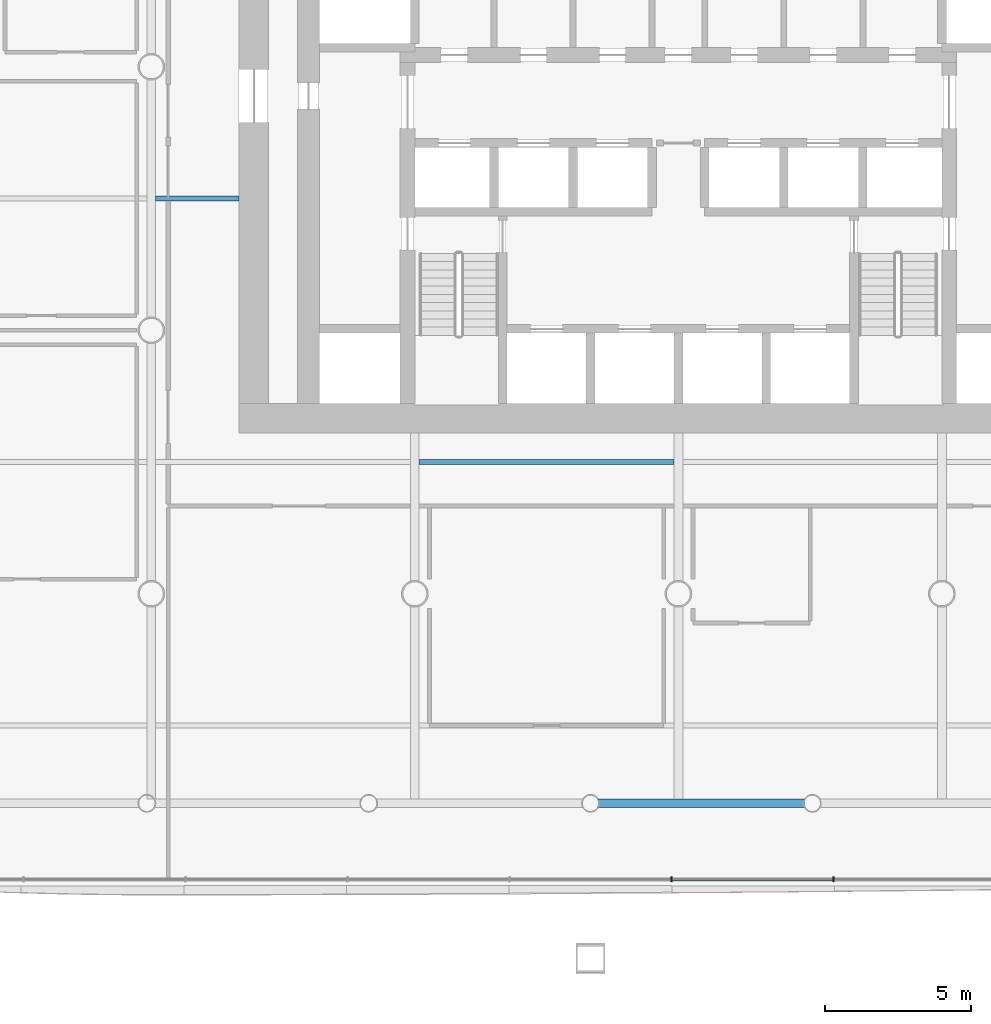
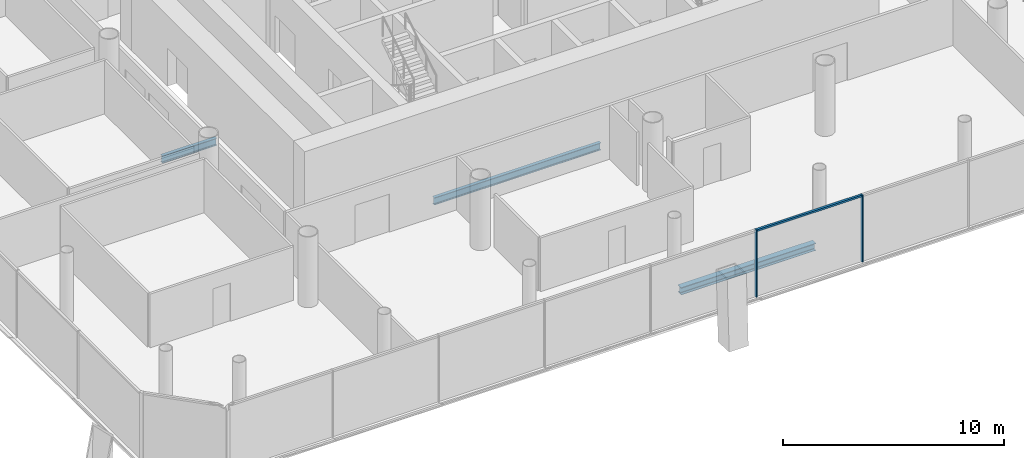
# One storey, part 5 of 22: 3 beams, 3 members, 1 element without a shape of its own.
"""IFC4 building model written with IfcOpenShell, lengths in metres."""

from ifc_helpers import new_model, si_unit, direction, frame, origin, origin_2d, place, context, subcontext, project, spatial, rectangle, i_section, extrude, material, material_profile, profile_set, type_object, element, aggregate, save


model = new_model("IFC4")

# Units and contexts
model_context = context("Model", 3, precision=1e-05, world=origin(), true_north=direction((0.0, 1.0)))
body_context = subcontext(model_context, "Body", "Model", "MODEL_VIEW")
ifc_project = project(units=[si_unit("LENGTHUNIT", "METRE"), si_unit("AREAUNIT", "SQUARE_METRE"), si_unit("VOLUMEUNIT", "CUBIC_METRE"), si_unit("PLANEANGLEUNIT", "RADIAN"), si_unit("MASSUNIT", "GRAM", prefix="KILO")], contexts=[model_context])

# Site, building, storey
site_placement = place(None, origin())
site = spatial("IfcSite", under=ifc_project, at=site_placement, CompositionType="ELEMENT")
building_placement = place(site_placement, origin())
building = spatial("IfcBuilding", under=site, at=building_placement, Name="Tskaro Facet Tower", CompositionType="ELEMENT")
storey_placement = place(building_placement, frame((0.0, 0.0, 18.60009765625)))
storey = spatial("IfcBuildingStorey", under=building, at=storey_placement, Name="L03", CompositionType="ELEMENT", Elevation=18.60009765625)

# Curtain wall, members
ifc_material_1 = material(Name="Bronze anodised aluminium 6063-T6", Category="aluminium")
curtain_wall_type = type_object("IfcCurtainWallType", Name="Bronze office curtain wall (FW1)", PredefinedType="NOTDEFINED", material=ifc_material_1)
curtain_wall_placement = place(storey_placement, origin())
curtain_wall = element("IfcCurtainWall", 1, at=curtain_wall_placement, inside=storey, type_object=curtain_wall_type, Name="FW1 south facet L03", PredefinedType="NOTDEFINED")
ifc_material_profile_1 = material_profile(ifc_material_1, rectangle(XDim=0.06005859375, YDim=0.159912109375, at=origin_2d()), Name="Mullion 60x160")
ifc_profile_set_1 = profile_set([ifc_material_profile_1], Name="Bronze anodised aluminium 6063-T6")
member_type_1 = type_object("IfcMemberType", Name="FW1 bronze mullion 60x160", PredefinedType="MULLION", material=ifc_profile_set_1)
member_1_placement = place(storey_placement, frame((-0.23388671875, -27.75, 0.0), z_axis=(0.0, 0.0, 1.0), x_axis=(1.0, 0.0, 0.0)))
member_1 = element("IfcMember", 2, at=member_1_placement, type_object=member_type_1, Name="FW1 south mullion 5", PredefinedType="MULLION", context=body_context, shape_type="SweptSolid", body=[
    extrude(rectangle(XDim=0.06005859375, YDim=0.159912109375, at=origin_2d()), origin(), (0.0, 0.0, 1.0), 3.699951171875),
])
member_2_placement = place(storey_placement, frame((5.298583984375, -27.75, 0.0), z_axis=(0.0, 0.0, 1.0), x_axis=(1.0, 0.0, 0.0)))
member_2 = element("IfcMember", 3, at=member_2_placement, type_object=member_type_1, Name="FW1 south mullion 6", PredefinedType="MULLION", context=body_context, shape_type="SweptSolid", body=[
    extrude(rectangle(XDim=0.06005859375, YDim=0.159912109375, at=origin_2d()), origin(), (0.0, 0.0, 1.0), 3.699951171875),
])
ifc_material_profile_2 = material_profile(ifc_material_1, rectangle(XDim=0.1201171875, YDim=0.10009765625, at=origin_2d()), Name="Transom 120x100")
ifc_profile_set_2 = profile_set([ifc_material_profile_2], Name="Bronze anodised aluminium 6063-T6")
member_type_2 = type_object("IfcMemberType", Name="FW1 bronze transom 120x100", PredefinedType="USERDEFINED", material=ifc_profile_set_2)
member_3_placement = place(storey_placement, frame((-0.203857421875, -27.75, 3.64990234375), z_axis=(1.0, 0.0, 0.0), x_axis=(0.0, 1.0, 0.0)))
member_3 = element("IfcMember", 4, at=member_3_placement, type_object=member_type_2, Name="FW1 south transom 6.1", ObjectType="TRANSOM", PredefinedType="USERDEFINED", context=body_context, shape_type="SweptSolid", body=[
    extrude(rectangle(XDim=0.1201171875, YDim=0.10009765625, at=origin_2d()), origin(), (0.0, 0.0, 1.0), 5.472412109375),
])
aggregate(curtain_wall, [member_1, member_2, member_3])

# Beams
ifc_material_2 = material(Name="Steel S355J2", Category="steel")
ifc_material_profile_3 = material_profile(ifc_material_2, i_section(OverallWidth=0.300048828125, OverallDepth=0.39990234375, WebThickness=0.013427734375, FlangeThickness=0.02392578125, FilletRadius=0.027099609375, at=origin_2d()), Name="HE 400 B")
ifc_profile_set_3 = profile_set([ifc_material_profile_3], Name="Steel S355J2")
beam_type_1 = type_object("IfcBeamType", Name="HE 400 B ring beam", PredefinedType="BEAM", material=ifc_profile_set_3)
beam_1_placement = place(storey_placement, frame((-2.72509765625, -25.156982421875, -0.340087890625), z_axis=(1.0, 0.0, 0.0), x_axis=(0.0, 1.0, 0.0)))
element("IfcBeam", 5, at=beam_1_placement, inside=storey, type_object=beam_type_1, Name="HE 400 B EB4-1", PredefinedType="BEAM", context=body_context, shape_type="SweptSolid", body=[
    extrude(i_section(OverallWidth=0.300048828125, OverallDepth=0.39990234375, WebThickness=0.013427734375, FlangeThickness=0.02392578125, FilletRadius=0.027099609375, at=origin_2d()), origin(), (0.0, 0.0, 1.0), 7.026123046875),
])
ifc_material_profile_4 = material_profile(ifc_material_2, i_section(OverallWidth=0.179931640625, OverallDepth=0.39990234375, WebThickness=0.008544921875, FlangeThickness=0.013427734375, FilletRadius=0.02099609375, at=origin_2d()), Name="IPE 400")
ifc_profile_set_4 = profile_set([ifc_material_profile_4], Name="Steel S355J2")
beam_type_2 = type_object("IfcBeamType", Name="IPE 400 secondary beam", PredefinedType="BEAM", material=ifc_profile_set_4)
beam_2_placement = place(storey_placement, frame((-8.85009765625, -13.5, -0.340087890625), z_axis=(1.0, 0.0, 0.0), x_axis=(0.0, 1.0, 0.0)))
element("IfcBeam", 6, at=beam_2_placement, inside=storey, type_object=beam_type_2, Name="IPE 400 SB2a-3-1", PredefinedType="BEAM", context=body_context, shape_type="SweptSolid", body=[
    extrude(i_section(OverallWidth=0.179931640625, OverallDepth=0.39990234375, WebThickness=0.008544921875, FlangeThickness=0.013427734375, FilletRadius=0.02099609375, at=origin_2d()), origin(), (0.0, 0.0, 1.0), 8.7001953125),
])
beam_3_placement = place(storey_placement, frame((-17.85009765625, -4.5, -0.340087890625), z_axis=(1.0, 0.0, 0.0), x_axis=(0.0, 1.0, 0.0)))
element("IfcBeam", 7, at=beam_3_placement, inside=storey, type_object=beam_type_2, Name="IPE 400 SB3a-2-1", PredefinedType="BEAM", context=body_context, shape_type="SweptSolid", body=[
    extrude(i_section(OverallWidth=0.179931640625, OverallDepth=0.39990234375, WebThickness=0.008544921875, FlangeThickness=0.013427734375, FilletRadius=0.02099609375, at=origin_2d()), origin(), (0.0, 0.0, 1.0), 2.85009765625),
])

save(model, "model.ifc")
